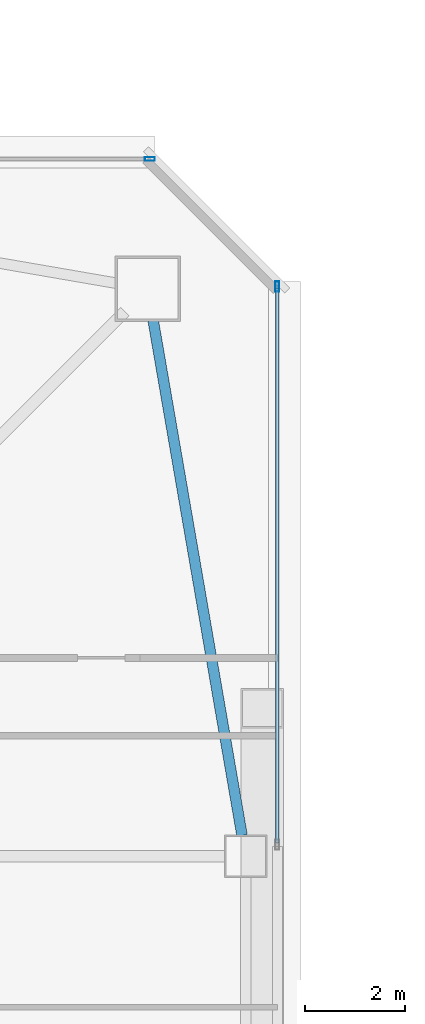
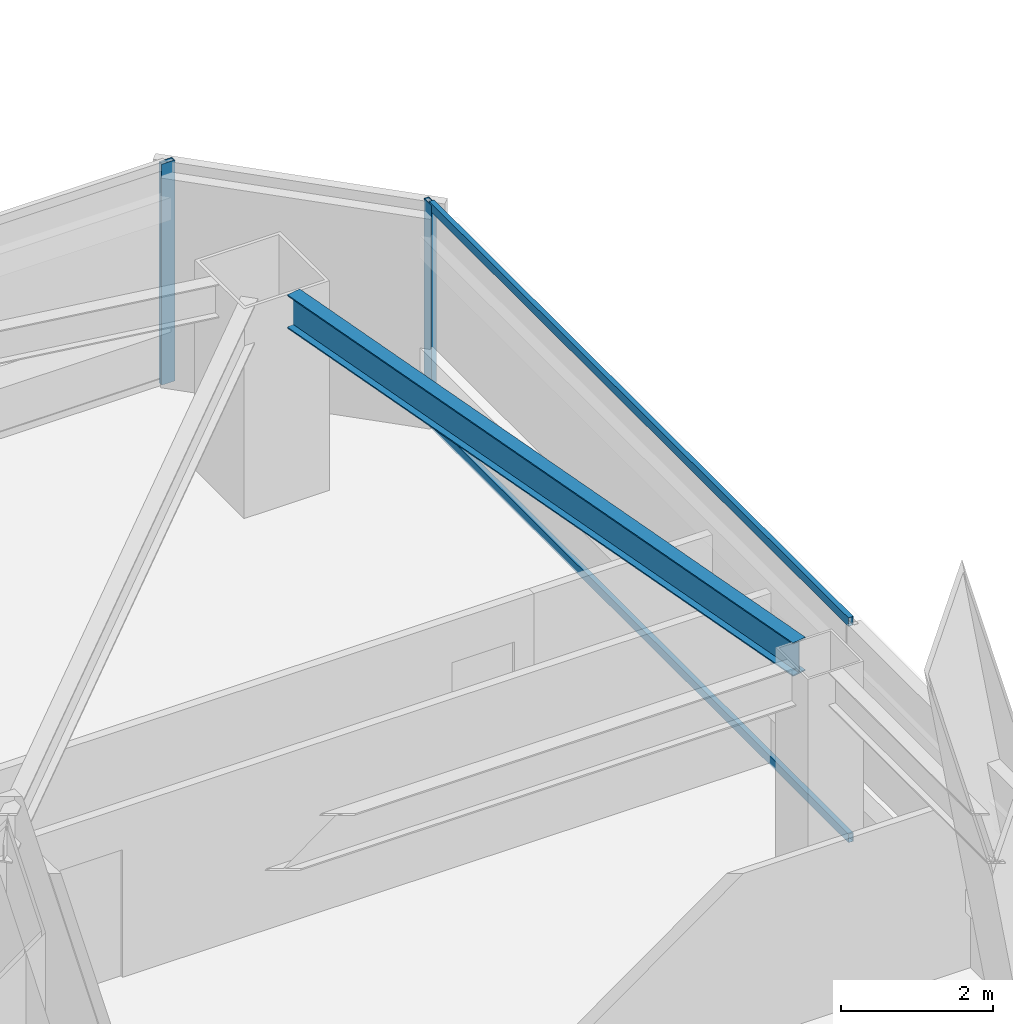
# One storey, part 18 of 50: 4 members, 1 beam, 2 elements without a shape of their own.
"""IFC4 building model written with IfcOpenShell, lengths in metres."""

from ifc_helpers import new_model, si_unit, direction, frame, origin, origin_2d, place, context, subcontext, project, spatial, hollow_rectangle, i_section, extrude, material, material_profile, profile_set, type_object, element, aggregate, save


model = new_model("IFC4")

# Units and contexts
model_context = context("Model", 3, precision=1e-05, world=origin(), true_north=direction((0.0, 1.0)))
body_context = subcontext(model_context, "Body", "Model", "MODEL_VIEW")
ifc_project = project(units=[si_unit("LENGTHUNIT", "METRE"), si_unit("AREAUNIT", "SQUARE_METRE"), si_unit("VOLUMEUNIT", "CUBIC_METRE"), si_unit("PLANEANGLEUNIT", "RADIAN"), si_unit("MASSUNIT", "GRAM", prefix="KILO")], contexts=[model_context])

# Site, building, storey
site_placement = place(None, origin())
site = spatial("IfcSite", under=ifc_project, at=site_placement, CompositionType="ELEMENT")
building_placement = place(site_placement, origin())
building = spatial("IfcBuilding", under=site, at=building_placement, Name="Tashvorn Skyway Center", CompositionType="ELEMENT")
storey_placement = place(building_placement, frame((0.0, 0.0, 114.39990234375)))
storey = spatial("IfcBuildingStorey", under=building, at=storey_placement, Name="L30", CompositionType="ELEMENT", Elevation=114.39990234375)

# Beam
ifc_material_1 = material(Name="Steel ASTM A992 Grade 50", Category="steel")
ifc_material_profile_1 = material_profile(ifc_material_1, i_section(OverallWidth=0.2109375, OverallDepth=0.5390625, WebThickness=0.01171875, FlangeThickness=0.018798828125, at=origin_2d()), Name="W21X73")
ifc_profile_set_1 = profile_set([ifc_material_profile_1], Name="Steel ASTM A992 Grade 50")
beam_type = type_object("IfcBeamType", Name="BM-SPANDREL-W21X73", PredefinedType="SPANDREL", material=ifc_profile_set_1)
beam_placement = place(storey_placement, frame((60.57861328125, 37.81396484375, 3.1005859375), z_axis=(-0.170067250846, 0.985432458462, 0.0), x_axis=(-0.985432458462, -0.170067250846, 0.0)))
element("IfcBeam", 1, at=beam_placement, inside=storey, type_object=beam_type, Name="Tower 1 L30 Spandrel Beam 06", PredefinedType="SPANDREL", context=body_context, shape_type="SweptSolid", body=[
    extrude(i_section(OverallWidth=0.2109375, OverallDepth=0.5390625, WebThickness=0.01171875, FlangeThickness=0.018798828125, at=origin_2d()), origin(), (0.0, 0.0, 1.0), 10.402099609375),
])

# Curtain wall, member
ifc_material_2 = material(Name="Thermally broken bronze-anodized aluminium 6063-T6", Category="aluminium")
curtain_wall_type = type_object("IfcCurtainWallType", Name="CW-CW-Z3", PredefinedType="NOTDEFINED", material=ifc_material_2)
curtain_wall_1_placement = place(storey_placement, origin())
curtain_wall_1 = element("IfcCurtainWall", 2, at=curtain_wall_1_placement, inside=storey, type_object=curtain_wall_type, Name="Tower 1 L30 North Unitised Curtain Wall Glazing Group 2", PredefinedType="NOTDEFINED")
ifc_material_profile_2 = material_profile(ifc_material_2, hollow_rectangle(XDim=0.074951171875, YDim=0.199951171875, WallThickness=0.00439453125, at=origin_2d()), Name="ALU-MULL-75x200")
ifc_profile_set_2 = profile_set([ifc_material_profile_2], Name="Thermally broken bronze-anodized aluminium 6063-T6")
member_type_1 = type_object("IfcMemberType", Name="CWM-CW-Z3", PredefinedType="MULLION", material=ifc_profile_set_2)
member_1_placement = place(storey_placement, frame((58.742431640625, 51.280029296875, 0.0), z_axis=(0.0, 0.0, 1.0), x_axis=(0.0, 1.0, 0.0)))
member_1 = element("IfcMember", 3, at=member_1_placement, type_object=member_type_1, Name="CW-Z3 mullion 2", PredefinedType="MULLION", context=body_context, shape_type="SweptSolid", body=[
    extrude(hollow_rectangle(XDim=0.074951171875, YDim=0.199951171875, WallThickness=0.00439453125, at=origin_2d()), origin(), (0.0, 0.0, 1.0), 3.550048828125),
])
aggregate(curtain_wall_1, [member_1])

# Curtain wall, members
curtain_wall_2_placement = place(storey_placement, origin())
curtain_wall_2 = element("IfcCurtainWall", 4, at=curtain_wall_2_placement, inside=storey, type_object=curtain_wall_type, Name="Tower 1 L30 East Unitised Curtain Wall Glazing Group 1", PredefinedType="NOTDEFINED")
member_2_placement = place(storey_placement, frame((61.280029296875, 48.742431640625, 0.0), z_axis=(0.0, 0.0, 1.0), x_axis=(1.0, 0.0, 0.0)))
member_2 = element("IfcMember", 5, at=member_2_placement, type_object=member_type_1, Name="CW-Z3 mullion 1", PredefinedType="MULLION", context=body_context, shape_type="SweptSolid", body=[
    extrude(hollow_rectangle(XDim=0.074951171875, YDim=0.199951171875, WallThickness=0.00439453125, at=origin_2d()), origin(), (0.0, 0.0, 1.0), 3.550048828125),
])
ifc_material_profile_3 = material_profile(ifc_material_2, hollow_rectangle(XDim=0.074951171875, YDim=0.139892578125, WallThickness=0.004150390625, at=origin_2d()), Name="ALU-TRAN-75x140")
ifc_profile_set_3 = profile_set([ifc_material_profile_3], Name="Thermally broken bronze-anodized aluminium 6063-T6")
member_type_2 = type_object("IfcMemberType", Name="CWT-CW-Z3", PredefinedType="USERDEFINED", material=ifc_profile_set_3)
member_3_placement = place(storey_placement, frame((61.280029296875, 48.705078125, 0.03759765625), z_axis=(0.0, -1.0, 0.0), x_axis=(1.0, 0.0, 0.0)))
member_3 = element("IfcMember", 6, at=member_3_placement, type_object=member_type_2, Name="CW-Z3 transom 1.1", ObjectType="TRANSOM", PredefinedType="USERDEFINED", context=body_context, shape_type="SweptSolid", body=[
    extrude(hollow_rectangle(XDim=0.074951171875, YDim=0.139892578125, WallThickness=0.004150390625, at=origin_2d()), origin(), (0.0, 0.0, 1.0), 11.036865234375),
])
member_4_placement = place(storey_placement, frame((61.280029296875, 48.705078125, 3.5126953125), z_axis=(0.0, -1.0, 0.0), x_axis=(1.0, 0.0, 0.0)))
member_4 = element("IfcMember", 7, at=member_4_placement, type_object=member_type_2, Name="CW-Z3 transom 1.2", ObjectType="TRANSOM", PredefinedType="USERDEFINED", context=body_context, shape_type="SweptSolid", body=[
    extrude(hollow_rectangle(XDim=0.074951171875, YDim=0.139892578125, WallThickness=0.004150390625, at=origin_2d()), origin(), (0.0, 0.0, 1.0), 11.036865234375),
])
aggregate(curtain_wall_2, [member_2, member_3, member_4])

save(model, "model.ifc")
